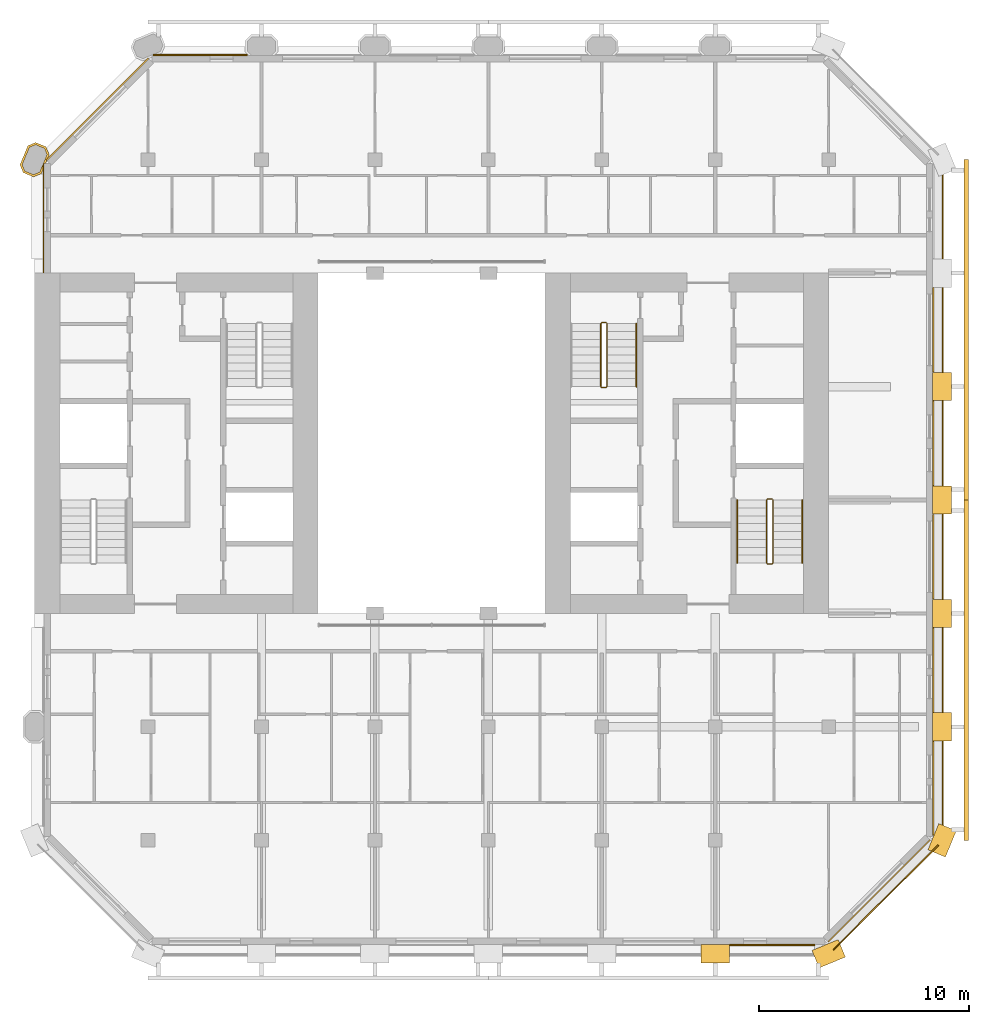
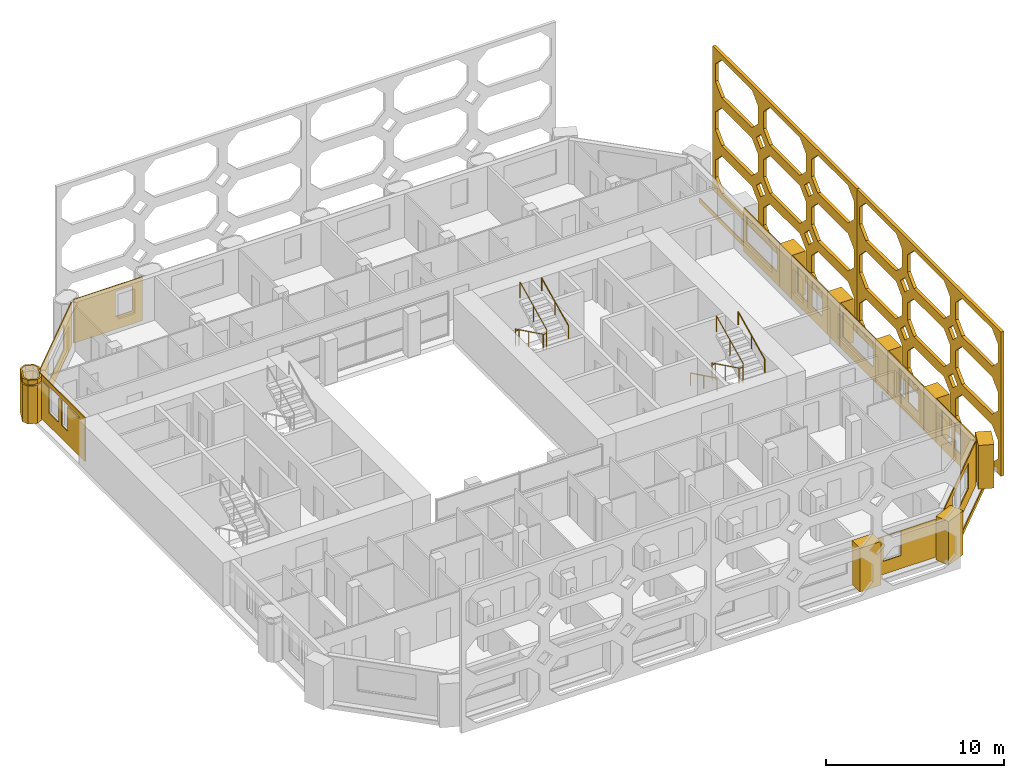
# One storey, part 14 of 15: 23 coverings, 5 railings.
"""IFC4 building model written with IfcOpenShell, lengths in metres."""

from ifc_helpers import new_model, si_unit, direction, frame, frame_2d, origin, origin_2d, place, context, subcontext, project, spatial, polyline, rectangle, circle, outline, extrude, material, layer, layer_set, type_object, element, save


model = new_model("IFC4")

# Units and contexts
model_context = context("Model", 3, precision=1e-05, world=origin(), true_north=direction((0.0, 1.0)))
body_context = subcontext(model_context, "Body", "Model", "MODEL_VIEW")
ifc_project = project(units=[si_unit("LENGTHUNIT", "METRE"), si_unit("AREAUNIT", "SQUARE_METRE"), si_unit("VOLUMEUNIT", "CUBIC_METRE"), si_unit("PLANEANGLEUNIT", "RADIAN"), si_unit("MASSUNIT", "GRAM", prefix="KILO")], contexts=[model_context])

# Site, building, storey
site_placement = place(None, origin())
site = spatial("IfcSite", under=ifc_project, at=site_placement, CompositionType="ELEMENT")
building_placement = place(site_placement, origin())
building = spatial("IfcBuilding", under=site, at=building_placement, Name="Tabaq Tower and Sports Hall", CompositionType="ELEMENT")
storey_placement = place(building_placement, frame((0.0, 0.0, 278.5)))
storey = spatial("IfcBuildingStorey", under=building, at=storey_placement, Name="L68", CompositionType="ELEMENT", Elevation=278.5)

# Coverings
ifc_material_1 = material(Name="Precast concrete C60/75", Category="concrete")
ifc_layer_1 = layer(ifc_material_1, 0.10009765625)
ifc_layer_set_1 = layer_set([ifc_layer_1], Name="Column cladding 100")
covering_type_1 = type_object("IfcCoveringType", Name="Column cladding 100", PredefinedType="CLADDING", material=ifc_layer_set_1)
covering_1_placement = place(storey_placement, origin())
element("IfcCovering", 1, at=covering_1_placement, inside=storey, type_object=covering_type_1, Name="Column cladding L68 PC-2H-R1", PredefinedType="CLADDING", context=body_context, shape_type="SweptSolid", body=[
    extrude(outline(polyline([(4.857421875, 37.186279296875), (4.7041015625, 37.556396484375), (5.080078125, 38.46435546875), (5.450439453125, 38.61767578125), (5.9423828125, 38.413818359375), (6.095947265625, 38.04345703125), (6.026123046875, 37.875), (5.9501953125, 37.799072265625), (5.9814453125, 37.767578125), (5.91796875, 37.614013671875), (5.849609375, 37.614013671875), (5.849609375, 37.55712890625), (5.789794921875, 37.55712890625), (5.789794921875, 37.304443359375), (5.7197265625, 37.1357421875), (5.349609375, 36.982421875), (4.857421875, 37.186279296875)]), holes=[polyline([(5.866455078125, 38.337646484375), (5.450439453125, 38.510009765625), (5.15625, 38.38818359375), (4.811767578125, 37.556396484375), (4.93359375, 37.26220703125), (5.349609375, 37.08984375), (5.643798828125, 37.2119140625), (5.98828125, 38.04345703125), (5.866455078125, 38.337646484375)])]), origin(), (0.0, 0.0, 1.0), 2.60009765625),
])
covering_2_placement = place(storey_placement, frame((0.0, 0.0, 2.699951171875)))
element("IfcCovering", 2, at=covering_2_placement, inside=storey, type_object=covering_type_1, Name="Column cladding L68 PC-2H-R1 2", PredefinedType="CLADDING", context=body_context, shape_type="SweptSolid", body=[
    extrude(outline(polyline([(4.857421875, 37.186279296875), (4.7041015625, 37.556396484375), (5.080078125, 38.46435546875), (5.450439453125, 38.61767578125), (5.9423828125, 38.413818359375), (6.095947265625, 38.04345703125), (6.026123046875, 37.875), (5.9501953125, 37.799072265625), (5.9814453125, 37.767578125), (5.91796875, 37.614013671875), (5.849609375, 37.614013671875), (5.849609375, 37.55712890625), (5.789794921875, 37.55712890625), (5.789794921875, 37.304443359375), (5.7197265625, 37.1357421875), (5.349609375, 36.982421875), (4.857421875, 37.186279296875)]), holes=[polyline([(5.866455078125, 38.337646484375), (5.450439453125, 38.510009765625), (5.15625, 38.38818359375), (4.811767578125, 37.556396484375), (4.93359375, 37.26220703125), (5.349609375, 37.08984375), (5.643798828125, 37.2119140625), (5.98828125, 38.04345703125), (5.866455078125, 38.337646484375)])]), origin(), (0.0, 0.0, 1.0), 0.300048828125),
])
ifc_material_2 = material(Name="Precast concrete C60/75", Category="concrete")
ifc_layer_2 = layer(ifc_material_2, 0.06005859375)
ifc_layer_set_2 = layer_set([ifc_layer_2], Name="Edge beam cladding 60")
covering_type_2 = type_object("IfcCoveringType", Name="Edge beam cladding 60", PredefinedType="CLADDING", material=ifc_layer_set_2)
covering_3_placement = place(storey_placement, frame((43.432373046875, 0.18994140625, -0.300048828125), z_axis=(0.0, 0.0, 1.0), x_axis=(0.707106781187, 0.707106781187, 0.0)))
element("IfcCovering", 3, at=covering_3_placement, inside=storey, type_object=covering_type_2, Name="Edge beam cladding L68 2", PredefinedType="CLADDING", context=body_context, shape_type="SweptSolid", body=[
    extrude(rectangle(XDim=7.03955078125, YDim=0.06005859375, at=frame_2d((3.519775390625, 0.0))), origin(), (0.0, 0.0, 1.0), 0.300048828125),
])
covering_4_placement = place(storey_placement, frame((48.6298828125, 5.698486328125, -0.300048828125), z_axis=(0.0, 0.0, 1.0), x_axis=(0.0, 1.0, 0.0)))
element("IfcCovering", 4, at=covering_4_placement, inside=storey, type_object=covering_type_2, Name="Edge beam cladding L68 3", PredefinedType="CLADDING", context=body_context, shape_type="SweptSolid", body=[
    extrude(rectangle(XDim=31.802978515625, YDim=0.06005859375, at=frame_2d((15.9013671875, 0.0))), origin(), (0.0, 0.0, 1.0), 0.300048828125),
])
ifc_material_3 = material(Name="White precast concrete C60/75", Category="concrete")
covering_type_3 = type_object("IfcCoveringType", Name="Pier cladding hung 1350x900", PredefinedType="CLADDING", material=ifc_material_3)
for number, where, z_axis, x_axis, name in (
    (5, (37.125, 0.0, 0.0), (0.0, 0.0, 1.0), (1.0, 0.0, 0.0), "Hung pier cladding 7/0"),
    (6, (42.576416015625, -0.25830078125, 0.0), (0.0, 0.0, 1.0), (0.923893411637, 0.382649923473, 0.0), "Hung pier cladding 8/0"),
    (7, (48.341796875, 4.7763671875, 0.0), (0.0, 0.0, 1.0), (0.382649923473, 0.923893411637, 0.0), "Hung pier cladding 9/1"),
    (8, (48.60009765625, 10.125, 0.0), (0.0, 0.0, 1.0), (0.0, 1.0, 0.0), "Hung pier cladding 9/2"),
    (9, (48.60009765625, 15.52490234375, 0.0), (0.0, 0.0, 1.0), (0.0, 1.0, 0.0), "Hung pier cladding 9/3"),
):
    element("IfcCovering", number, at=place(storey_placement, frame(where, z_axis=z_axis, x_axis=x_axis)), inside=storey, type_object=covering_type_3, Name=name, PredefinedType="CLADDING", context=body_context, shape_type="SweptSolid", body=[
        extrude(rectangle(XDim=1.35009765625, YDim=0.89990234375, at=frame_2d((0.675048828125, 0.0))), origin(), (0.0, 0.0, 1.0), 3.0),
    ])
covering_5_placement = place(storey_placement, frame((48.60009765625, 20.925048828125, 0.0), z_axis=(0.0, 0.0, 1.0), x_axis=(0.0, 1.0, 0.0)))
element("IfcCovering", 10, at=covering_5_placement, inside=storey, type_object=covering_type_3, Name="Hung pier cladding 9/4", PredefinedType="CLADDING", context=body_context, shape_type="SweptSolid", body=[
    extrude(rectangle(XDim=1.349853515625, YDim=0.89990234375, at=frame_2d((0.6748046875, 0.0))), origin(), (0.0, 0.0, 1.0), 3.0),
])
covering_6_placement = place(storey_placement, frame((48.60009765625, 26.324951171875, 0.0), z_axis=(0.0, 0.0, 1.0), x_axis=(0.0, 1.0, 0.0)))
element("IfcCovering", 11, at=covering_6_placement, inside=storey, type_object=covering_type_3, Name="Hung pier cladding 9/5", PredefinedType="CLADDING", context=body_context, shape_type="SweptSolid", body=[
    extrude(rectangle(XDim=1.35009765625, YDim=0.89990234375, at=frame_2d((0.675048828125, 0.0))), origin(), (0.0, 0.0, 1.0), 3.0),
])

# Railings
ifc_material_4 = material(Name="Stainless steel", Category="steel")
railing_type_1 = type_object("IfcRailingType", Name="Stair guard", PredefinedType="GUARDRAIL", material=ifc_material_4)
railing_1_placement = place(storey_placement, frame((40.5, 21.64990234375, 0.0)))
element("IfcRailing", 12, at=railing_1_placement, inside=storey, type_object=railing_type_1, Name="L68 ST3 stair guard 1", PredefinedType="GUARDRAIL", context=body_context, shape_type="SweptSolid", body=[
    extrude(circle(Radius=0.02392578125, at=origin_2d()), frame((0.0, 0.0, 1.076171875), z_axis=(-1.0, 0.0, 0.0), x_axis=(0.0, -1.0, 0.0)), (0.0, 0.0, 1.0), 0.199951171875),
    extrude(circle(Radius=0.02392578125, at=origin_2d()), frame((-0.199951171875, 0.0, 1.076171875), z_axis=(-0.254733673405, -0.25349107012, 0.933195066962), x_axis=(0.705375805398, -0.708833529934, 0.0)), (0.0, 0.0, 1.0), 0.196533203125),
    extrude(circle(Radius=0.02392578125, at=origin_2d()), frame((-0.25, -0.0498046875, 1.25927734375), z_axis=(0.0, -0.898397823093, 0.439182594671), x_axis=(1.0, 0.0, 0.0)), (0.0, 0.0, 1.0), 3.33935546875),
    extrude(circle(Radius=0.02392578125, at=origin_2d()), frame((-0.25, -3.0498046875, 2.72607421875), z_axis=(0.707106781187, -0.707106781187, 0.0), x_axis=(0.707106781187, 0.707106781187, 0.0)), (0.0, 0.0, 1.0), 0.07080078125),
    extrude(circle(Radius=0.02392578125, at=origin_2d()), frame((-0.199951171875, -3.099853515625, 2.72607421875), z_axis=(1.0, 0.0, 0.0), x_axis=(0.0, 1.0, 0.0)), (0.0, 0.0, 1.0), 0.199951171875),
    extrude(circle(Radius=0.02392578125, at=origin_2d()), frame((0.0, -3.099853515625, 2.72607421875), z_axis=(0.254653276557, 0.254653276557, 0.932900539971), x_axis=(-0.707106781187, 0.707106781187, 0.0)), (0.0, 0.0, 1.0), 0.196533203125),
    extrude(circle(Radius=0.02392578125, at=origin_2d()), frame((0.050048828125, -3.0498046875, 2.9091796875), z_axis=(0.0, 0.898368975038, 0.439241601728), x_axis=(-1.0, 0.0, 0.0)), (0.0, 0.0, 1.0), 3.33935546875),
    extrude(circle(Radius=0.02099609375, at=origin_2d()), origin(), (0.0, 0.0, 1.0), 1.052001953125),
    extrude(circle(Radius=0.02099609375, at=origin_2d()), frame((-0.199951171875, 0.0, 0.0)), (0.0, 0.0, 1.0), 1.052001953125),
    extrude(circle(Radius=0.02099609375, at=origin_2d()), frame((-0.25, -0.0498046875, 0.183349609375)), (0.0, 0.0, 1.0), 1.052001953125),
    extrude(circle(Radius=0.02099609375, at=origin_2d()), frame((-0.25, -1.5498046875, 0.91650390625)), (0.0, 0.0, 1.0), 1.052001953125),
    extrude(circle(Radius=0.02099609375, at=origin_2d()), frame((-0.25, -3.0498046875, 1.64990234375)), (0.0, 0.0, 1.0), 1.052001953125),
    extrude(circle(Radius=0.02099609375, at=origin_2d()), frame((-0.199951171875, -3.099853515625, 1.64990234375)), (0.0, 0.0, 1.0), 1.052001953125),
    extrude(circle(Radius=0.02099609375, at=origin_2d()), frame((0.0, -3.099853515625, 1.64990234375)), (0.0, 0.0, 1.0), 1.052001953125),
    extrude(circle(Radius=0.02099609375, at=origin_2d()), frame((0.050048828125, -3.0498046875, 1.833251953125)), (0.0, 0.0, 1.0), 1.052001953125),
    extrude(circle(Radius=0.02099609375, at=origin_2d()), frame((0.050048828125, -1.5498046875, 2.566650390625)), (0.0, 0.0, 1.0), 1.052001953125),
    extrude(circle(Radius=0.02099609375, at=origin_2d()), frame((0.050048828125, -0.0498046875, 3.300048828125)), (0.0, 0.0, 1.0), 1.052001953125),
])
railing_2_placement = place(storey_placement, frame((32.60009765625, 30.050048828125, 0.0)))
element("IfcRailing", 13, at=railing_2_placement, inside=storey, type_object=railing_type_1, Name="L68 ST4 stair guard 1", PredefinedType="GUARDRAIL", context=body_context, shape_type="SweptSolid", body=[
    extrude(circle(Radius=0.02392578125, at=origin_2d()), frame((0.0, 0.0, 1.076171875), z_axis=(-1.0, 0.0, 0.0), x_axis=(0.0, -1.0, 0.0)), (0.0, 0.0, 1.0), 0.2001953125),
    extrude(circle(Radius=0.02392578125, at=origin_2d()), frame((-0.2001953125, 0.0, 1.076171875), z_axis=(-0.25349107012, -0.254733673405, 0.933195066962), x_axis=(0.708833529934, -0.705375805398, 0.0)), (0.0, 0.0, 1.0), 0.196533203125),
    extrude(circle(Radius=0.02392578125, at=origin_2d()), frame((-0.25, -0.050048828125, 1.25927734375), z_axis=(0.0, -0.898397823093, 0.439182594671), x_axis=(1.0, 0.0, 0.0)), (0.0, 0.0, 1.0), 3.33935546875),
    extrude(circle(Radius=0.02392578125, at=origin_2d()), frame((-0.25, -3.050048828125, 2.72607421875), z_axis=(0.705375805398, -0.708833529934, 0.0), x_axis=(0.708833529934, 0.705375805398, 0.0)), (0.0, 0.0, 1.0), 0.070556640625),
    extrude(circle(Radius=0.02392578125, at=origin_2d()), frame((-0.2001953125, -3.10009765625, 2.72607421875), z_axis=(1.0, 0.0, 0.0), x_axis=(0.0, 1.0, 0.0)), (0.0, 0.0, 1.0), 0.2001953125),
    extrude(circle(Radius=0.02392578125, at=origin_2d()), frame((0.0, -3.10009765625, 2.72607421875), z_axis=(0.25349107012, 0.254733673405, 0.933195066962), x_axis=(-0.708833529934, 0.705375805398, 0.0)), (0.0, 0.0, 1.0), 0.196533203125),
    extrude(circle(Radius=0.02392578125, at=origin_2d()), frame((0.0498046875, -3.050048828125, 2.9091796875), z_axis=(0.0, 0.898368975038, 0.439241601728), x_axis=(-1.0, 0.0, 0.0)), (0.0, 0.0, 1.0), 3.33935546875),
    extrude(circle(Radius=0.02099609375, at=origin_2d()), origin(), (0.0, 0.0, 1.0), 1.052001953125),
    extrude(circle(Radius=0.02099609375, at=origin_2d()), frame((-0.2001953125, 0.0, 0.0)), (0.0, 0.0, 1.0), 1.052001953125),
    extrude(circle(Radius=0.02099609375, at=origin_2d()), frame((-0.25, -0.050048828125, 0.183349609375)), (0.0, 0.0, 1.0), 1.052001953125),
    extrude(circle(Radius=0.02099609375, at=origin_2d()), frame((-0.25, -1.550048828125, 0.91650390625)), (0.0, 0.0, 1.0), 1.052001953125),
    extrude(circle(Radius=0.02099609375, at=origin_2d()), frame((-0.25, -3.050048828125, 1.64990234375)), (0.0, 0.0, 1.0), 1.052001953125),
    extrude(circle(Radius=0.02099609375, at=origin_2d()), frame((-0.2001953125, -3.10009765625, 1.64990234375)), (0.0, 0.0, 1.0), 1.052001953125),
    extrude(circle(Radius=0.02099609375, at=origin_2d()), frame((0.0, -3.10009765625, 1.64990234375)), (0.0, 0.0, 1.0), 1.052001953125),
    extrude(circle(Radius=0.02099609375, at=origin_2d()), frame((0.0498046875, -3.050048828125, 1.833251953125)), (0.0, 0.0, 1.0), 1.052001953125),
    extrude(circle(Radius=0.02099609375, at=origin_2d()), frame((0.0498046875, -1.550048828125, 2.566650390625)), (0.0, 0.0, 1.0), 1.052001953125),
    extrude(circle(Radius=0.02099609375, at=origin_2d()), frame((0.0498046875, -0.050048828125, 3.300048828125)), (0.0, 0.0, 1.0), 1.052001953125),
])
ifc_material_5 = material(Name="Stainless steel", Category="steel")
railing_type_2 = type_object("IfcRailingType", Name="Stair handrail", PredefinedType="HANDRAIL", material=ifc_material_5)
railing_3_placement = place(storey_placement, frame((38.85009765625, 21.60009765625, 0.183349609375)))
element("IfcRailing", 14, at=railing_3_placement, inside=storey, type_object=railing_type_2, Name="L68 ST3 stair handrail 1", PredefinedType="HANDRAIL", context=body_context, shape_type="SweptSolid", body=[
    extrude(circle(Radius=0.02392578125, at=origin_2d()), frame((0.0, 0.0, 0.8759765625), z_axis=(0.0, -0.898397823093, 0.439182594671), x_axis=(1.0, 0.0, 0.0)), (0.0, 0.0, 1.0), 3.33935546875),
    extrude(circle(Radius=0.02099609375, at=origin_2d()), origin(), (0.0, 0.0, 1.0), 0.851806640625),
    extrude(circle(Radius=0.02099609375, at=origin_2d()), frame((0.0, -1.5, 0.7333984375)), (0.0, 0.0, 1.0), 0.851806640625),
    extrude(circle(Radius=0.02099609375, at=origin_2d()), frame((0.0, -3.0, 1.466552734375)), (0.0, 0.0, 1.0), 0.851806640625),
])
for number, where, name in (
    (15, (41.949951171875, 18.60009765625, 1.833251953125), "L68 ST3 stair handrail 2"),
    (16, (34.050048828125, 27.0, 1.833251953125), "L68 ST4 stair handrail 2"),
):
    element("IfcRailing", number, at=place(storey_placement, frame(where)), inside=storey, type_object=railing_type_2, Name=name, PredefinedType="HANDRAIL", context=body_context, shape_type="SweptSolid", body=[
        extrude(circle(Radius=0.02392578125, at=origin_2d()), frame((0.0, 0.0, 0.8759765625), z_axis=(0.0, 0.898368975038, 0.439241601728), x_axis=(-1.0, 0.0, 0.0)), (0.0, 0.0, 1.0), 3.33935546875),
        extrude(circle(Radius=0.02099609375, at=origin_2d()), origin(), (0.0, 0.0, 1.0), 0.851806640625),
        extrude(circle(Radius=0.02099609375, at=origin_2d()), frame((0.0, 1.5, 0.7333984375)), (0.0, 0.0, 1.0), 0.851806640625),
        extrude(circle(Radius=0.02099609375, at=origin_2d()), frame((0.0, 3.0, 1.466796875)), (0.0, 0.0, 1.0), 0.851806640625),
    ])

# Coverings
ifc_material_6 = material(Name="White precast concrete C60/75 pierced screen", Category="concrete")
ifc_layer_3 = layer(ifc_material_6, 0.199951171875)
ifc_layer_set_3 = layer_set([ifc_layer_3], Name="TRACERY SCREEN 200 C60/75")
covering_type_4 = type_object("IfcCoveringType", Name="TRACERY SCREEN 200 C60/75", PredefinedType="CLADDING", material=ifc_layer_set_3)
covering_7_placement = place(storey_placement, frame((49.75, 5.39990234375, 0.0), z_axis=(0.0, 0.0, 1.0), x_axis=(0.0, 1.0, 0.0)))
element("IfcCovering", 17, at=covering_7_placement, inside=storey, type_object=covering_type_4, Name="Tracery screen R1 E L68-L70", PredefinedType="CLADDING", context=body_context, shape_type="SweptSolid", body=[
    extrude(outline(polyline([(0.0, 0.0), (16.2001953125, 0.0), (16.2001953125, 9.89990234375), (0.0, 9.89990234375), (0.0, 0.0)]), holes=[polyline([(1.0, 0.35009765625), (4.39990234375, 0.35009765625), (5.10009765625, 1.050048828125), (5.10009765625, 2.25), (4.39990234375, 2.949951171875), (1.0, 2.949951171875), (0.300048828125, 2.25), (0.300048828125, 1.050048828125), (1.0, 0.35009765625)]), polyline([(6.39990234375, 0.35009765625), (9.800048828125, 0.35009765625), (10.5, 1.050048828125), (10.5, 2.25), (9.800048828125, 2.949951171875), (6.39990234375, 2.949951171875), (5.699951171875, 2.25), (5.699951171875, 1.050048828125), (6.39990234375, 0.35009765625)]), polyline([(11.800048828125, 0.35009765625), (15.199951171875, 0.35009765625), (15.89990234375, 1.050048828125), (15.89990234375, 2.25), (15.199951171875, 2.949951171875), (11.800048828125, 2.949951171875), (11.10009765625, 2.25), (11.10009765625, 1.050048828125), (11.800048828125, 0.35009765625)]), polyline([(1.0, 3.64990234375), (4.39990234375, 3.64990234375), (5.10009765625, 4.35009765625), (5.10009765625, 5.550048828125), (4.39990234375, 6.25), (1.0, 6.25), (0.300048828125, 5.550048828125), (0.300048828125, 4.35009765625), (1.0, 3.64990234375)]), polyline([(6.39990234375, 3.64990234375), (9.800048828125, 3.64990234375), (10.5, 4.35009765625), (10.5, 5.550048828125), (9.800048828125, 6.25), (6.39990234375, 6.25), (5.699951171875, 5.550048828125), (5.699951171875, 4.35009765625), (6.39990234375, 3.64990234375)]), polyline([(11.800048828125, 3.64990234375), (15.199951171875, 3.64990234375), (15.89990234375, 4.35009765625), (15.89990234375, 5.550048828125), (15.199951171875, 6.25), (11.800048828125, 6.25), (11.10009765625, 5.550048828125), (11.10009765625, 4.35009765625), (11.800048828125, 3.64990234375)]), polyline([(1.0, 6.949951171875), (4.39990234375, 6.949951171875), (5.10009765625, 7.64990234375), (5.10009765625, 8.85009765625), (4.39990234375, 9.550048828125), (1.0, 9.550048828125), (0.300048828125, 8.85009765625), (0.300048828125, 7.64990234375), (1.0, 6.949951171875)]), polyline([(6.39990234375, 6.949951171875), (9.800048828125, 6.949951171875), (10.5, 7.64990234375), (10.5, 8.85009765625), (9.800048828125, 9.550048828125), (6.39990234375, 9.550048828125), (5.699951171875, 8.85009765625), (5.699951171875, 7.64990234375), (6.39990234375, 6.949951171875)]), polyline([(11.800048828125, 6.949951171875), (15.199951171875, 6.949951171875), (15.89990234375, 7.64990234375), (15.89990234375, 8.85009765625), (15.199951171875, 9.550048828125), (11.800048828125, 9.550048828125), (11.10009765625, 8.85009765625), (11.10009765625, 7.64990234375), (11.800048828125, 6.949951171875)]), polyline([(5.89990234375, 3.300048828125), (5.39990234375, 3.800048828125), (4.89990234375, 3.300048828125), (5.39990234375, 2.800048828125), (5.89990234375, 3.300048828125)]), polyline([(11.300048828125, 3.300048828125), (10.800048828125, 3.800048828125), (10.300048828125, 3.300048828125), (10.800048828125, 2.800048828125), (11.300048828125, 3.300048828125)]), polyline([(5.89990234375, 6.60009765625), (5.39990234375, 7.10009765625), (4.89990234375, 6.60009765625), (5.39990234375, 6.10009765625), (5.89990234375, 6.60009765625)]), polyline([(11.300048828125, 6.60009765625), (10.800048828125, 7.10009765625), (10.300048828125, 6.60009765625), (10.800048828125, 6.10009765625), (11.300048828125, 6.60009765625)])]), frame((0.0, 0.10009765625, 0.0), z_axis=(0.0, -1.0, 0.0), x_axis=(1.0, 0.0, 0.0)), (0.0, 0.0, 1.0), 0.199951171875),
])
covering_8_placement = place(storey_placement, frame((49.75, 21.60009765625, 0.0), z_axis=(0.0, 0.0, 1.0), x_axis=(0.0, 1.0, 0.0)))
element("IfcCovering", 18, at=covering_8_placement, inside=storey, type_object=covering_type_4, Name="Tracery screen R1 E L68-L70", PredefinedType="CLADDING", context=body_context, shape_type="SweptSolid", body=[
    extrude(outline(polyline([(0.0, 0.0), (16.199951171875, 0.0), (16.199951171875, 9.89990234375), (0.0, 9.89990234375), (0.0, 0.0)]), holes=[polyline([(1.0, 0.35009765625), (4.39990234375, 0.35009765625), (5.10009765625, 1.050048828125), (5.10009765625, 2.25), (4.39990234375, 2.949951171875), (1.0, 2.949951171875), (0.300048828125, 2.25), (0.300048828125, 1.050048828125), (1.0, 0.35009765625)]), polyline([(6.39990234375, 0.35009765625), (9.800048828125, 0.35009765625), (10.5, 1.050048828125), (10.5, 2.25), (9.800048828125, 2.949951171875), (6.39990234375, 2.949951171875), (5.699951171875, 2.25), (5.699951171875, 1.050048828125), (6.39990234375, 0.35009765625)]), polyline([(11.800048828125, 0.35009765625), (15.199951171875, 0.35009765625), (15.89990234375, 1.050048828125), (15.89990234375, 2.25), (15.199951171875, 2.949951171875), (11.800048828125, 2.949951171875), (11.10009765625, 2.25), (11.10009765625, 1.050048828125), (11.800048828125, 0.35009765625)]), polyline([(1.0, 3.64990234375), (4.39990234375, 3.64990234375), (5.10009765625, 4.35009765625), (5.10009765625, 5.550048828125), (4.39990234375, 6.25), (1.0, 6.25), (0.300048828125, 5.550048828125), (0.300048828125, 4.35009765625), (1.0, 3.64990234375)]), polyline([(6.39990234375, 3.64990234375), (9.800048828125, 3.64990234375), (10.5, 4.35009765625), (10.5, 5.550048828125), (9.800048828125, 6.25), (6.39990234375, 6.25), (5.699951171875, 5.550048828125), (5.699951171875, 4.35009765625), (6.39990234375, 3.64990234375)]), polyline([(11.800048828125, 3.64990234375), (15.199951171875, 3.64990234375), (15.89990234375, 4.35009765625), (15.89990234375, 5.550048828125), (15.199951171875, 6.25), (11.800048828125, 6.25), (11.10009765625, 5.550048828125), (11.10009765625, 4.35009765625), (11.800048828125, 3.64990234375)]), polyline([(1.0, 6.949951171875), (4.39990234375, 6.949951171875), (5.10009765625, 7.64990234375), (5.10009765625, 8.85009765625), (4.39990234375, 9.550048828125), (1.0, 9.550048828125), (0.300048828125, 8.85009765625), (0.300048828125, 7.64990234375), (1.0, 6.949951171875)]), polyline([(6.39990234375, 6.949951171875), (9.800048828125, 6.949951171875), (10.5, 7.64990234375), (10.5, 8.85009765625), (9.800048828125, 9.550048828125), (6.39990234375, 9.550048828125), (5.699951171875, 8.85009765625), (5.699951171875, 7.64990234375), (6.39990234375, 6.949951171875)]), polyline([(11.800048828125, 6.949951171875), (15.199951171875, 6.949951171875), (15.89990234375, 7.64990234375), (15.89990234375, 8.85009765625), (15.199951171875, 9.550048828125), (11.800048828125, 9.550048828125), (11.10009765625, 8.85009765625), (11.10009765625, 7.64990234375), (11.800048828125, 6.949951171875)]), polyline([(5.89990234375, 3.300048828125), (5.39990234375, 3.800048828125), (4.89990234375, 3.300048828125), (5.39990234375, 2.800048828125), (5.89990234375, 3.300048828125)]), polyline([(11.300048828125, 3.300048828125), (10.800048828125, 3.800048828125), (10.300048828125, 3.300048828125), (10.800048828125, 2.800048828125), (11.300048828125, 3.300048828125)]), polyline([(5.89990234375, 6.60009765625), (5.39990234375, 7.10009765625), (4.89990234375, 6.60009765625), (5.39990234375, 6.10009765625), (5.89990234375, 6.60009765625)]), polyline([(11.300048828125, 6.60009765625), (10.800048828125, 7.10009765625), (10.300048828125, 6.60009765625), (10.800048828125, 6.10009765625), (11.300048828125, 6.60009765625)])]), frame((0.0, 0.10009765625, 0.0), z_axis=(0.0, -1.0, 0.0), x_axis=(1.0, 0.0, 0.0)), (0.0, 0.0, 1.0), 0.199951171875),
])
ifc_material_7 = material(Name="Precast concrete C60/75", Category="concrete")
ifc_layer_4 = layer(ifc_material_7, 0.06005859375)
ifc_layer_set_4 = layer_set([ifc_layer_4], Name="White precast cladding panel 60 C60/75")
covering_type_5 = type_object("IfcCoveringType", Name="White precast cladding panel 60 C60/75", PredefinedType="CLADDING", material=ifc_layer_set_4)
covering_9_placement = place(storey_placement, frame((38.485107421875, 0.419921875, 0.0), z_axis=(0.0, 0.0, 1.0), x_axis=(1.0, 0.0, 0.0)))
element("IfcCovering", 19, at=covering_9_placement, inside=storey, type_object=covering_type_5, Name="White precast cladding panel L68 wall00 6", PredefinedType="CLADDING", context=body_context, shape_type="SweptSolid", body=[
    extrude(outline(polyline([(0.0, 0.0), (4.0498046875, 0.0), (4.0498046875, 2.590087890625), (0.0, 2.590087890625), (0.0, 0.0)]), holes=[polyline([(1.77490234375, 0.889892578125), (0.655029296875, 0.889892578125), (0.655029296875, 2.56005859375), (1.77490234375, 2.56005859375), (1.77490234375, 0.889892578125)])]), frame((0.0, 0.030029296875, 0.0), z_axis=(0.0, -1.0, 0.0), x_axis=(1.0, 0.0, 0.0)), (0.0, 0.0, 1.0), 0.06005859375),
])
covering_10_placement = place(storey_placement, frame((43.177734375, 0.57177734375, 0.0), z_axis=(0.0, 0.0, 1.0), x_axis=(0.707106781187, 0.707106781187, 0.0)))
element("IfcCovering", 20, at=covering_10_placement, inside=storey, type_object=covering_type_5, Name="White precast cladding panel L68 wall01", PredefinedType="CLADDING", context=body_context, shape_type="SweptSolid", body=[
    extrude(outline(polyline([(0.0, 0.0), (6.85986328125, 0.0), (6.85986328125, 3.0), (0.0, 3.0), (0.0, 0.0)]), holes=[polyline([(1.7197265625, 0.889892578125), (1.7197265625, 2.610107421875), (5.139892578125, 2.610107421875), (5.139892578125, 0.889892578125), (1.7197265625, 0.889892578125)])]), frame((0.0, 0.030029296875, 0.0), z_axis=(0.0, -1.0, 0.0), x_axis=(1.0, 0.0, 0.0)), (0.0, 0.0, 1.0), 0.06005859375),
])
covering_11_placement = place(storey_placement, frame((48.179931640625, 5.64306640625, 0.0), z_axis=(0.0, 0.0, 1.0), x_axis=(0.0, 1.0, 0.0)))
element("IfcCovering", 21, at=covering_11_placement, inside=storey, type_object=covering_type_5, Name="White precast cladding panel L68 wall02", PredefinedType="CLADDING", context=body_context, shape_type="SweptSolid", body=[
    extrude(outline(polyline([(0.0, 0.0), (4.471923828125, 0.0), (4.471923828125, 3.0), (0.0, 3.0), (0.0, 0.0)]), holes=[polyline([(1.721923828125, 2.610107421875), (2.391845703125, 2.610107421875), (2.391845703125, 0.889892578125), (1.721923828125, 0.889892578125), (1.721923828125, 2.610107421875)]), polyline([(2.69677734375, 2.610107421875), (3.81689453125, 2.610107421875), (3.81689453125, 0.889892578125), (2.69677734375, 0.889892578125), (2.69677734375, 2.610107421875)])]), frame((0.0, 0.030029296875, 0.0), z_axis=(0.0, -1.0, 0.0), x_axis=(1.0, 0.0, 0.0)), (0.0, 0.0, 1.0), 0.06005859375),
])
covering_12_placement = place(storey_placement, frame((48.179931640625, 11.485107421875, 0.0), z_axis=(0.0, 0.0, 1.0), x_axis=(0.0, 1.0, 0.0)))
element("IfcCovering", 22, at=covering_12_placement, inside=storey, type_object=covering_type_5, Name="White precast cladding panel L68 wall02 2", PredefinedType="CLADDING", context=body_context, shape_type="SweptSolid", body=[
    extrude(outline(polyline([(0.0, 0.0), (4.02978515625, 0.0), (4.02978515625, 3.0), (0.0, 3.0), (0.0, 0.0)]), holes=[polyline([(0.655029296875, 2.610107421875), (1.77490234375, 2.610107421875), (1.77490234375, 0.889892578125), (0.655029296875, 0.889892578125), (0.655029296875, 2.610107421875)]), polyline([(2.080078125, 2.610107421875), (2.75, 2.610107421875), (2.75, 0.889892578125), (2.080078125, 0.889892578125), (2.080078125, 2.610107421875)])]), frame((0.0, 0.030029296875, 0.0), z_axis=(0.0, -1.0, 0.0), x_axis=(1.0, 0.0, 0.0)), (0.0, 0.0, 1.0), 0.06005859375),
])
covering_13_placement = place(storey_placement, frame((48.179931640625, 16.885009765625, 0.0), z_axis=(0.0, 0.0, 1.0), x_axis=(0.0, 1.0, 0.0)))
element("IfcCovering", 23, at=covering_13_placement, inside=storey, type_object=covering_type_5, Name="White precast cladding panel L68 wall02 3", PredefinedType="CLADDING", context=body_context, shape_type="SweptSolid", body=[
    extrude(outline(polyline([(0.0, 0.0), (4.030029296875, 0.0), (4.030029296875, 3.0), (0.0, 3.0), (0.0, 0.0)]), holes=[polyline([(0.304931640625, 0.889892578125), (0.304931640625, 2.610107421875), (3.72509765625, 2.610107421875), (3.72509765625, 0.889892578125), (0.304931640625, 0.889892578125)])]), frame((0.0, 0.030029296875, 0.0), z_axis=(0.0, -1.0, 0.0), x_axis=(1.0, 0.0, 0.0)), (0.0, 0.0, 1.0), 0.06005859375),
])
covering_14_placement = place(storey_placement, frame((48.179931640625, 22.284912109375, 0.0), z_axis=(0.0, 0.0, 1.0), x_axis=(0.0, 1.0, 0.0)))
element("IfcCovering", 24, at=covering_14_placement, inside=storey, type_object=covering_type_5, Name="White precast cladding panel L68 wall02 4", PredefinedType="CLADDING", context=body_context, shape_type="SweptSolid", body=[
    extrude(outline(polyline([(0.0, 0.0), (4.030029296875, 0.0), (4.030029296875, 3.0), (0.0, 3.0), (0.0, 0.0)]), holes=[polyline([(0.655029296875, 2.610107421875), (1.77490234375, 2.610107421875), (1.77490234375, 0.889892578125), (0.655029296875, 0.889892578125), (0.655029296875, 2.610107421875)]), polyline([(2.2548828125, 2.610107421875), (3.375, 2.610107421875), (3.375, 0.889892578125), (2.2548828125, 0.889892578125), (2.2548828125, 2.610107421875)])]), frame((0.0, 0.030029296875, 0.0), z_axis=(0.0, -1.0, 0.0), x_axis=(1.0, 0.0, 0.0)), (0.0, 0.0, 1.0), 0.06005859375),
])
covering_15_placement = place(storey_placement, frame((48.179931640625, 27.68505859375, 0.0), z_axis=(0.0, 0.0, 1.0), x_axis=(0.0, 1.0, 0.0)))
element("IfcCovering", 25, at=covering_15_placement, inside=storey, type_object=covering_type_5, Name="White precast cladding panel L68 wall02 5", PredefinedType="CLADDING", context=body_context, shape_type="SweptSolid", body=[
    extrude(outline(polyline([(0.0, 0.0), (4.030029296875, 0.0), (4.030029296875, 3.0), (0.0, 3.0), (0.0, 0.0)]), holes=[polyline([(0.304931640625, 0.889892578125), (0.304931640625, 2.610107421875), (3.72509765625, 2.610107421875), (3.72509765625, 0.889892578125), (0.304931640625, 0.889892578125)])]), frame((0.0, 0.030029296875, 0.0), z_axis=(0.0, -1.0, 0.0), x_axis=(1.0, 0.0, 0.0)), (0.0, 0.0, 1.0), 0.06005859375),
])
covering_16_placement = place(storey_placement, frame((15.514892578125, 42.780029296875, 0.0), z_axis=(0.0, 0.0, 1.0), x_axis=(-1.0, 0.0, 0.0)))
element("IfcCovering", 26, at=covering_16_placement, inside=storey, type_object=covering_type_5, Name="White precast cladding panel L68 wall04 6", PredefinedType="CLADDING", context=body_context, shape_type="SweptSolid", body=[
    extrude(outline(polyline([(0.0, 0.0), (4.4716796875, 0.0), (4.4716796875, 3.0), (0.0, 3.0), (0.0, 0.0)]), holes=[polyline([(0.655029296875, 0.889892578125), (0.655029296875, 2.610107421875), (1.77490234375, 2.610107421875), (1.77490234375, 0.889892578125), (0.655029296875, 0.889892578125)])]), frame((0.0, 0.030029296875, 0.0), z_axis=(0.0, -1.0, 0.0), x_axis=(1.0, 0.0, 0.0)), (0.0, 0.0, 1.0), 0.06005859375),
])
covering_17_placement = place(storey_placement, frame((10.822265625, 42.628173828125, 0.0), z_axis=(0.0, 0.0, 1.0), x_axis=(-0.707124576528, -0.707088985397, 0.0)))
element("IfcCovering", 27, at=covering_17_placement, inside=storey, type_object=covering_type_5, Name="White precast cladding panel L68 wall05", PredefinedType="CLADDING", context=body_context, shape_type="SweptSolid", body=[
    extrude(outline(polyline([(0.0, 0.0), (6.859619140625, 0.0), (6.859619140625, 3.0), (0.0, 3.0), (0.0, 0.0)]), holes=[polyline([(1.7197265625, 0.889892578125), (1.7197265625, 2.610107421875), (5.139892578125, 2.610107421875), (5.139892578125, 0.889892578125), (1.7197265625, 0.889892578125)])]), frame((0.0, 0.030029296875, 0.0), z_axis=(0.0, -1.0, 0.0), x_axis=(1.0, 0.0, 0.0)), (0.0, 0.0, 1.0), 0.06005859375),
])
covering_18_placement = place(storey_placement, frame((5.820068359375, 37.556884765625, 0.0), z_axis=(0.0, 0.0, 1.0), x_axis=(0.0, -1.0, 0.0)))
element("IfcCovering", 28, at=covering_18_placement, inside=storey, type_object=covering_type_5, Name="White precast cladding panel L68 wall06", PredefinedType="CLADDING", context=body_context, shape_type="SweptSolid", body=[
    extrude(outline(polyline([(0.0, 0.0), (5.156982421875, 0.0), (5.156982421875, 3.0), (0.0, 3.0), (0.0, 0.0)]), holes=[polyline([(1.096923828125, 2.590087890625), (0.421875, 2.590087890625), (0.421875, 2.7099609375), (4.491943359375, 2.7099609375), (4.491943359375, 2.590087890625), (3.19189453125, 2.590087890625), (3.19189453125, 0.889892578125), (2.521728515625, 0.889892578125), (2.521728515625, 2.590087890625), (2.216796875, 2.590087890625), (2.216796875, 0.889892578125), (1.096923828125, 0.889892578125), (1.096923828125, 2.590087890625)])]), frame((0.0, 0.030029296875, 0.0), z_axis=(0.0, -1.0, 0.0), x_axis=(1.0, 0.0, 0.0)), (0.0, 0.0, 1.0), 0.06005859375),
])

save(model, "model.ifc")
